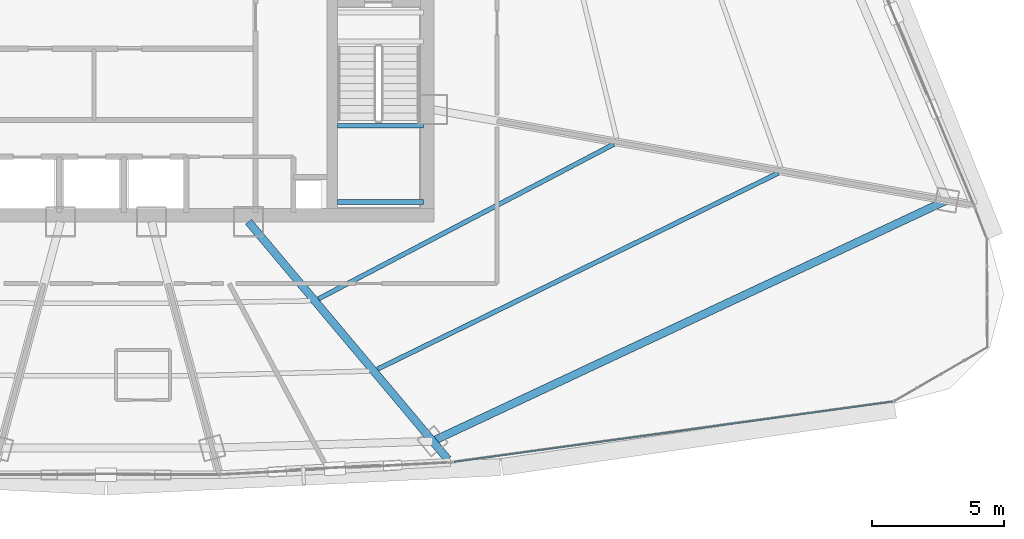
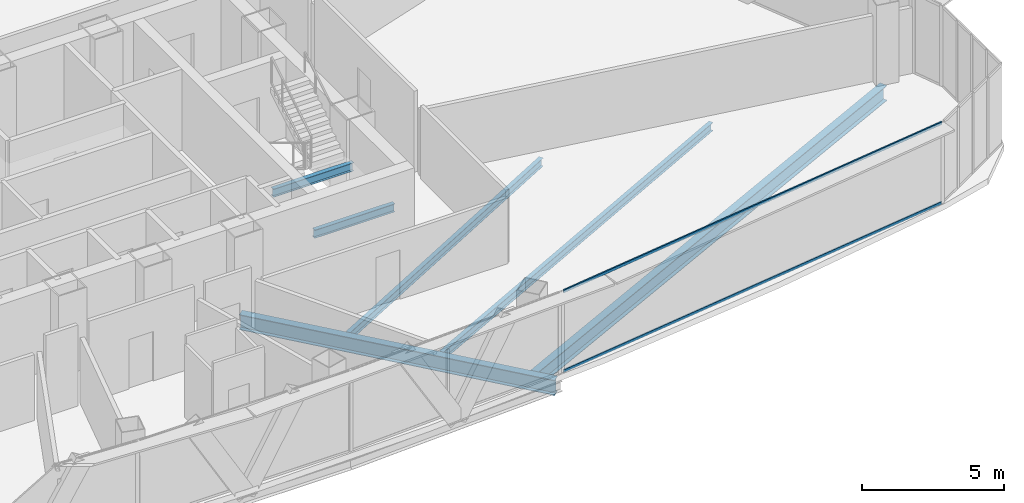
# One storey, part 12 of 36: 6 beams, 2 members, 1 element without a shape of its own.
"""IFC4 building model written with IfcOpenShell, lengths in metres."""

import ifcopenshell
import ifcopenshell.guid

model = None  # the IFC model being written
_history = None  # IfcOwnerHistory: only IFC2X3 demands one
_inside = {}  # id of a spatial element -> (the spatial element, [elements in it])
_under = {}  # id of a project, library or spatial element -> (it, [spatial elements below it])
_declared = {}  # id of a project -> (the project, [libraries it declares])
_typed = {}  # id of a type object -> (the type object, [elements of that type])
_made_of = {}  # id of a material, layer set ... -> (it, [elements and type objects made of it])


def new_model(schema):
    """Start an empty IFC model of exactly this schema.

    Asked for "IFC4X3", IfcOpenShell would pick the latest addendum, in which some entities
    have other attributes; the version numbers below select the first issue.
    IFC2X3 requires an IfcOwnerHistory on every rooted entity: one is made here for all.
    """
    global model, _history
    if schema == "IFC4X3":
        model = ifcopenshell.file(schema_version=(4, 3, 0, 0))
    else:
        model = ifcopenshell.file(schema=schema)
    _inside.clear()
    _under.clear()
    _declared.clear()
    _typed.clear()
    _made_of.clear()
    _history = None
    if model.schema == "IFC2X3":
        org = make("IfcOrganization", Name="unknown")
        user = make(
            "IfcPersonAndOrganization",
            ThePerson=make("IfcPerson", FamilyName="unknown"),
            TheOrganization=org,
        )
        app = make(
            "IfcApplication",
            ApplicationDeveloper=org,
            Version="unknown",
            ApplicationFullName="unknown",
            ApplicationIdentifier="unknown",
        )
        _history = make(
            "IfcOwnerHistory",
            OwningUser=user,
            OwningApplication=app,
            ChangeAction="ADDED",
            CreationDate=0,
        )
    return model


def make(cls, **values):
    """One entity of the class cls with the attributes given. An attribute that is None is left unset."""
    return model.create_entity(
        cls, **{name: value for name, value in values.items() if value is not None}
    )


def rooted(cls, **values):
    """An entity with a GlobalId (a new one), such as an element, a storey or a relation."""
    return make(cls, GlobalId=ifcopenshell.guid.new(), OwnerHistory=_history, **values)


def si_unit(unit_type, name, prefix=None):
    """IfcSIUnit, for example si_unit("LENGTHUNIT", "METRE", prefix="MILLI")."""
    return make("IfcSIUnit", UnitType=unit_type, Prefix=prefix, Name=name)


def assignment(units):
    """IfcUnitAssignment: the units of a project."""
    return None if units is None else make("IfcUnitAssignment", Units=units)


def point(xyz):
    """IfcCartesianPoint."""
    return None if xyz is None else make("IfcCartesianPoint", Coordinates=xyz)


def direction(xyz):
    """IfcDirection."""
    return None if xyz is None else make("IfcDirection", DirectionRatios=xyz)


def frame(location, z_axis=None, x_axis=None):
    """IfcAxis2Placement3D, a coordinate frame: its origin and axes. An axis left out is left unset."""
    return make(
        "IfcAxis2Placement3D",
        Location=point(location),
        Axis=direction(z_axis),
        RefDirection=direction(x_axis),
    )


def frame_2d(location, x_axis=None):
    """IfcAxis2Placement2D, a coordinate frame in the plane: its origin and x axis."""
    return make(
        "IfcAxis2Placement2D", Location=point(location), RefDirection=direction(x_axis)
    )


def origin():
    """The frame at (0, 0, 0) with its axes left unset."""
    return frame((0.0, 0.0, 0.0))


def origin_2d():
    """The frame at (0, 0) in the plane with its x axis left unset."""
    return frame_2d((0.0, 0.0))


def place(relative_to, where):
    """IfcLocalPlacement: puts the frame where relative to a parent placement (None: the world)."""
    return make(
        "IfcLocalPlacement", PlacementRelTo=relative_to, RelativePlacement=where
    )


def context(
    kind, dimensions, precision=None, world=None, true_north=None, identifier=None
):
    """IfcGeometricRepresentationContext, for example the 3D "Model" context."""
    return make(
        "IfcGeometricRepresentationContext",
        ContextIdentifier=identifier,
        ContextType=kind,
        CoordinateSpaceDimension=dimensions,
        Precision=precision,
        WorldCoordinateSystem=world,
        TrueNorth=true_north,
    )


def subcontext(parent, identifier, kind, view, scale=None):
    """IfcGeometricRepresentationSubContext, for example "Body" below "Model"."""
    return make(
        "IfcGeometricRepresentationSubContext",
        ContextIdentifier=identifier,
        ContextType=kind,
        ParentContext=parent,
        TargetScale=scale,
        TargetView=view,
    )


def project(units=None, contexts=None):
    """IfcProject with its units and contexts."""
    return rooted(
        "IfcProject",
        Name="project",
        RepresentationContexts=contexts,
        UnitsInContext=assignment(units),
    )


def spatial(cls, under=None, at=None, **own):
    """A site, building, storey or space (cls), placed at a placement, below another one or the project."""
    s = rooted(cls, ObjectPlacement=at, **own)
    if under is not None:
        _under.setdefault(under.id(), (under, []))[1].append(s)
    return s


def profile(cls, at=None, kind="AREA", **sizes):
    """A parametric profile (cls). Its sizes go by their IFC names, for example OverallWidth=200.0."""
    return make(cls, ProfileType=kind, Position=at, **sizes)


def hollow_rectangle(**sizes):
    """IfcRectangleHollowProfileDef."""
    return profile("IfcRectangleHollowProfileDef", **sizes)


def i_section(**sizes):
    """IfcIShapeProfileDef."""
    return profile("IfcIShapeProfileDef", **sizes)


def extrude(swept, where, along, depth):
    """IfcExtrudedAreaSolid: the profile swept, set in the frame where, extruded along a direction by depth."""
    return make(
        "IfcExtrudedAreaSolid",
        SweptArea=swept,
        Position=where,
        ExtrudedDirection=direction(along),
        Depth=depth,
    )


def shape(context_of_items, identifier, shape_type, items):
    """IfcShapeRepresentation: the items that make up one representation, for example the "Body"."""
    return make(
        "IfcShapeRepresentation",
        ContextOfItems=context_of_items,
        RepresentationIdentifier=identifier,
        RepresentationType=shape_type,
        Items=items,
    )


def source(mapping_origin, context_of_items, identifier, shape_type, items):
    """IfcRepresentationMap: a shape defined once, which mapped items show again and again."""
    return make(
        "IfcRepresentationMap",
        MappingOrigin=mapping_origin,
        MappedRepresentation=shape(context_of_items, identifier, shape_type, items),
    )


def transform(
    local_origin,
    x_axis=None,
    y_axis=None,
    z_axis=None,
    scale=None,
    scale2=None,
    scale3=None,
    uniform=True,
):
    """IfcCartesianTransformationOperator3D, or its non-uniform kind. x_axis, y_axis, z_axis: its Axis1, 2, 3."""
    if uniform:
        return make(
            "IfcCartesianTransformationOperator3D",
            Axis1=direction(x_axis),
            Axis2=direction(y_axis),
            LocalOrigin=point(local_origin),
            Scale=scale,
            Axis3=direction(z_axis),
        )
    return make(
        "IfcCartesianTransformationOperator3DnonUniform",
        Axis1=direction(x_axis),
        Axis2=direction(y_axis),
        LocalOrigin=point(local_origin),
        Scale=scale,
        Axis3=direction(z_axis),
        Scale2=scale2,
        Scale3=scale3,
    )


def mapped(mapping_source, mapping_target):
    """IfcMappedItem: shows the shape of a source again, moved by a transform."""
    return make(
        "IfcMappedItem", MappingSource=mapping_source, MappingTarget=mapping_target
    )


def material(Name=None, Category=None):
    """IfcMaterial."""
    return make("IfcMaterial", Name=Name, Category=Category)


def layer(
    of_material, thickness, ventilated=None, Name=None, Category=None, Priority=None
):
    """IfcMaterialLayer: one layer of a wall or slab, of a material (None: an air gap)."""
    return make(
        "IfcMaterialLayer",
        Material=of_material,
        LayerThickness=thickness,
        IsVentilated=ventilated,
        Name=Name,
        Category=Category,
        Priority=Priority,
    )


def layer_set(layers, Name=None):
    """IfcMaterialLayerSet."""
    return make("IfcMaterialLayerSet", MaterialLayers=layers, LayerSetName=Name)


def material_profile(
    of_material, cross_section, Name=None, Category=None, Priority=None
):
    """IfcMaterialProfile: a cross section and its material."""
    return make(
        "IfcMaterialProfile",
        Name=Name,
        Material=of_material,
        Profile=cross_section,
        Priority=Priority,
        Category=Category,
    )


def profile_set(profiles, Name=None, composite=None):
    """IfcMaterialProfileSet."""
    return make(
        "IfcMaterialProfileSet",
        Name=Name,
        MaterialProfiles=profiles,
        CompositeProfile=composite,
    )


def made_of(thing, what):
    """Note that an element or type object is made of a material, layer set ...; save() writes the relation."""
    if what is not None:
        _made_of.setdefault(what.id(), (what, []))[1].append(thing)
    return thing


def type_object(cls, material=None, **own):
    """A type object (cls), such as IfcWallType, which elements share."""
    return made_of(rooted(cls, **own), material)


def element(
    cls,
    number,
    at=None,
    inside=None,
    cuts=None,
    type_object=None,
    material=None,
    context=None,
    identifier="Body",
    shape_type=None,
    held_by="IfcProductDefinitionShape",
    body=None,
    shapes=None,
    **own,
):
    """One element of the class cls, such as IfcWall. Its Tag is "e" and its number.

    at: its placement. inside: the storey or other place that contains it. cuts: it is an
    opening in that element (IfcRelVoidsElement). A single representation is given by context,
    identifier, shape_type and body (its items); several are given by shapes. held_by: the class
    of the entity that holds the representations. save() writes the other relations.
    """
    e = rooted(cls, Tag="e%d" % number, ObjectPlacement=at, **own)
    if body is not None:
        shapes = [shape(context, identifier, shape_type, body)]
    if shapes is not None:
        e.Representation = make(held_by, Representations=shapes)
    if inside is not None:
        _inside.setdefault(inside.id(), (inside, []))[1].append(e)
    if cuts is not None:
        rooted(
            "IfcRelVoidsElement", RelatingBuildingElement=cuts, RelatedOpeningElement=e
        )
    if type_object is not None:
        _typed.setdefault(type_object.id(), (type_object, []))[1].append(e)
    return made_of(e, material)


def aggregate(whole, parts):
    """IfcRelAggregates: a whole, such as a stair, and the parts it consists of."""
    return rooted("IfcRelAggregates", RelatingObject=whole, RelatedObjects=parts)


def save(model, path):
    """Write the relations noted so far, then the file.

    IfcRelAggregates (storeys below a building ...), IfcRelContainedInSpatialStructure (elements
    in a storey), IfcRelDefinesByType, IfcRelAssociatesMaterial and IfcRelDeclares: one each for
    every whole, place, type object, material and project.
    """
    for whole, parts in _under.values():
        aggregate(whole, parts)
    for where, things in _inside.values():
        rooted(
            "IfcRelContainedInSpatialStructure",
            RelatedElements=things,
            RelatingStructure=where,
        )
    for kind, things in _typed.values():
        rooted("IfcRelDefinesByType", RelatedObjects=things, RelatingType=kind)
    for what, things in _made_of.values():
        rooted("IfcRelAssociatesMaterial", RelatedObjects=things, RelatingMaterial=what)
    for by, libraries in _declared.values():
        rooted("IfcRelDeclares", RelatingContext=by, RelatedDefinitions=libraries)
    model.write(path)


model = new_model("IFC4")

# Units and contexts
model_context = context("Model", 3, precision=1e-05, world=origin(), true_north=direction((0.0, 1.0)))
body_context = subcontext(model_context, "Body", "Model", "MODEL_VIEW")
ifc_project = project(units=[si_unit("LENGTHUNIT", "METRE"), si_unit("AREAUNIT", "SQUARE_METRE"), si_unit("VOLUMEUNIT", "CUBIC_METRE"), si_unit("PLANEANGLEUNIT", "RADIAN"), si_unit("MASSUNIT", "GRAM", prefix="KILO"), si_unit("THERMODYNAMICTEMPERATUREUNIT", "KELVIN"), si_unit("POWERUNIT", "WATT")], contexts=[model_context])

# Site, building, storey
site_placement = place(None, origin())
site = spatial("IfcSite", under=ifc_project, at=site_placement, CompositionType="ELEMENT")
building_placement = place(site_placement, origin())
building = spatial("IfcBuilding", under=site, at=building_placement, Name="Yunzhuo Pagoda Commons", CompositionType="ELEMENT")
storey_placement = place(building_placement, frame((0.0, 0.0, 263.179931640625)))
storey = spatial("IfcBuildingStorey", under=building, at=storey_placement, Name="L66", CompositionType="ELEMENT", Elevation=263.179931640625)

# Beams
ifc_material_1 = material(Name="Structural steel Q355B", Category="steel")
ifc_material_profile_1 = material_profile(ifc_material_1, i_section(OverallWidth=0.175048828125, OverallDepth=0.35009765625, WebThickness=0.007080078125, FlangeThickness=0.010986328125, at=origin_2d()), Name="Structural steel Q355B")
ifc_profile_set_1 = profile_set([ifc_material_profile_1], Name="Structural steel Q355B")
beam_type_1 = type_object("IfcBeamType", Name="B-JS2 Joist HN 350x175x7x11", PredefinedType="JOIST", material=ifc_profile_set_1)
shared_shape_1 = source(origin(), body_context, "Body", "SweptSolid", [
    extrude(i_section(OverallWidth=0.175048828125, OverallDepth=0.35009765625, WebThickness=0.007080078125, FlangeThickness=0.010986328125, at=origin_2d()), origin(), (0.0, 0.0, 1.0), 3.25),
])
for number, where, z_axis, x_axis, name in (
    (1, (56.800048828125, 28.0, 1.489990234375), (1.0, 0.0, 0.0), (0.0, 1.0, 0.0), "L66 ST2 landing support beam 72A"),
    (2, (56.800048828125, 30.89990234375, 1.489990234375), (1.0, 0.0, 0.0), (0.0, 1.0, 0.0), "L66 ST2 landing support beam 72B"),
):
    element("IfcBeam", number, at=place(storey_placement, frame(where, z_axis=z_axis, x_axis=x_axis)), inside=storey, type_object=beam_type_1, Name=name, PredefinedType="JOIST", context=body_context, shape_type="MappedRepresentation", body=[
        mapped(shared_shape_1, transform((0.0, 0.0, 0.0), scale=1.0)),
    ])
ifc_material_profile_2 = material_profile(ifc_material_1, i_section(OverallWidth=0.300048828125, OverallDepth=0.64990234375, WebThickness=0.012939453125, FlangeThickness=0.02197265625, at=origin_2d()), Name="Structural steel Q355B")
ifc_profile_set_2 = profile_set([ifc_material_profile_2], Name="Structural steel Q355B")
beam_type_2 = type_object("IfcBeamType", Name="B-RG2 Beam HN 650x300x13x22", PredefinedType="BEAM", material=ifc_profile_set_2)
shared_shape_2 = source(origin(), body_context, "Body", "SweptSolid", [
    extrude(i_section(OverallWidth=0.300048828125, OverallDepth=0.64990234375, WebThickness=0.012939453125, FlangeThickness=0.02197265625, at=origin_2d()), origin(), (0.0, 0.0, 1.0), 21.56689453125),
])
beam_1_placement = place(storey_placement, frame((60.406982421875, 18.913818359375, -0.5849609375), z_axis=(0.905424265365, 0.424507832304, 0.0), x_axis=(-0.424507832304, 0.905424265365, 0.0)))
element("IfcBeam", 3, at=beam_1_placement, inside=storey, type_object=beam_type_2, Name="L66 column-ring beam 4", PredefinedType="BEAM", context=body_context, shape_type="MappedRepresentation", body=[
    mapped(shared_shape_2, transform((0.0, 0.0, 0.0), scale=1.0)),
])
shared_shape_3 = source(origin(), body_context, "Body", "SweptSolid", [
    extrude(i_section(OverallWidth=0.175048828125, OverallDepth=0.35009765625, WebThickness=0.007080078125, FlangeThickness=0.010986328125, at=origin_2d()), origin(), (0.0, 0.0, 1.0), 12.666259765625),
])
beam_2_placement = place(storey_placement, frame((56.0712890625, 24.32275390625, -0.434814453125), z_axis=(0.885841344078, 0.463988268302, 0.0), x_axis=(-0.463988268302, 0.885841344078, 0.0)))
element("IfcBeam", 4, at=beam_2_placement, inside=storey, type_object=beam_type_1, Name="L66 composite ring joist 1.4", PredefinedType="JOIST", context=body_context, shape_type="MappedRepresentation", body=[
    mapped(shared_shape_3, transform((0.0, 0.0, 0.0), scale=1.0)),
])
shared_shape_4 = source(origin(), body_context, "Body", "SweptSolid", [
    extrude(i_section(OverallWidth=0.175048828125, OverallDepth=0.35009765625, WebThickness=0.007080078125, FlangeThickness=0.010986328125, at=origin_2d()), origin(), (0.0, 0.0, 1.0), 16.95361328125),
])
beam_3_placement = place(storey_placement, frame((58.3115234375, 21.6513671875, -0.434814453125), z_axis=(0.898261717675, 0.439460904473, 0.0), x_axis=(-0.439460904473, 0.898261717675, 0.0)))
element("IfcBeam", 5, at=beam_3_placement, inside=storey, type_object=beam_type_1, Name="L66 composite ring joist 2.4", PredefinedType="JOIST", context=body_context, shape_type="MappedRepresentation", body=[
    mapped(shared_shape_4, transform((0.0, 0.0, 0.0), scale=1.0)),
])
shared_shape_5 = source(origin(), body_context, "Body", "SweptSolid", [
    extrude(i_section(OverallWidth=0.300048828125, OverallDepth=0.64990234375, WebThickness=0.012939453125, FlangeThickness=0.02197265625, at=origin_2d()), origin(), (0.0, 0.0, 1.0), 11.77734375),
])
beam_4_placement = place(storey_placement, frame((60.982421875, 18.22802734375, -0.5849609375), z_axis=(-0.642786541985, 0.766045339026, 0.0), x_axis=(-0.766045339026, -0.642786541985, 0.0)))
element("IfcBeam", 6, at=beam_4_placement, inside=storey, type_object=beam_type_2, Name="L66 radial floor girder F1C4", PredefinedType="BEAM", context=body_context, shape_type="MappedRepresentation", body=[
    mapped(shared_shape_5, transform((0.0, 0.0, 0.0), scale=1.0)),
])

# Curtain wall, members
ifc_material_2 = material(Name="Anodized aluminium 6063-T6", Category="aluminium")
ifc_layer = layer(ifc_material_2, 0.139892578125)
ifc_layer_set = layer_set([ifc_layer], Name="Anodized aluminium 6063-T6")
curtain_wall_type = type_object("IfcCurtainWallType", Name="CW-HI High-Zone Ribbon Curtain Wall", PredefinedType="NOTDEFINED", material=ifc_layer_set)
curtain_wall_placement = place(storey_placement, origin())
curtain_wall = element("IfcCurtainWall", 7, at=curtain_wall_placement, inside=storey, type_object=curtain_wall_type, Name="L66 curtain wall CW-L66-F1B5", PredefinedType="NOTDEFINED")
ifc_material_profile_3 = material_profile(ifc_material_2, hollow_rectangle(XDim=0.054931640625, YDim=0.1201171875, WallThickness=0.00341796875, at=origin_2d()), Name="Anodized aluminium 6063-T6")
ifc_profile_set_3 = profile_set([ifc_material_profile_3], Name="Anodized aluminium 6063-T6")
member_type = type_object("IfcMemberType", Name="CW-HI-T Transom RHS 120x55x3.5", PredefinedType="USERDEFINED", material=ifc_profile_set_3)
shared_shape_6 = source(origin(), body_context, "Body", "SweptSolid", [
    extrude(hollow_rectangle(XDim=0.054931640625, YDim=0.1201171875, WallThickness=0.00341796875, at=origin_2d()), origin(), (0.0, 0.0, 1.0), 16.80810546875),
])
member_1_placement = place(storey_placement, frame((61.2158203125, 18.1279296875, 0.02783203125), z_axis=(0.990697109219, 0.136085406215, 0.0), x_axis=(-0.136085406215, 0.990697109219, 0.0)))
member_1 = element("IfcMember", 8, at=member_1_placement, type_object=member_type, Name="CW transom 1.1", ObjectType="TRANSOM", PredefinedType="USERDEFINED", context=body_context, shape_type="MappedRepresentation", body=[
    mapped(shared_shape_6, transform((0.0, 0.0, 0.0), scale=1.0)),
])
member_2_placement = place(storey_placement, frame((61.2158203125, 18.1279296875, 3.442626953125), z_axis=(0.990697109219, 0.136085406215, 0.0), x_axis=(-0.136085406215, 0.990697109219, 0.0)))
member_2 = element("IfcMember", 9, at=member_2_placement, type_object=member_type, Name="CW transom 1.2", ObjectType="TRANSOM", PredefinedType="USERDEFINED", context=body_context, shape_type="MappedRepresentation", body=[
    mapped(shared_shape_6, transform((0.0, 0.0, 0.0), scale=1.0)),
])
aggregate(curtain_wall, [member_1, member_2])

save(model, "model.ifc")
